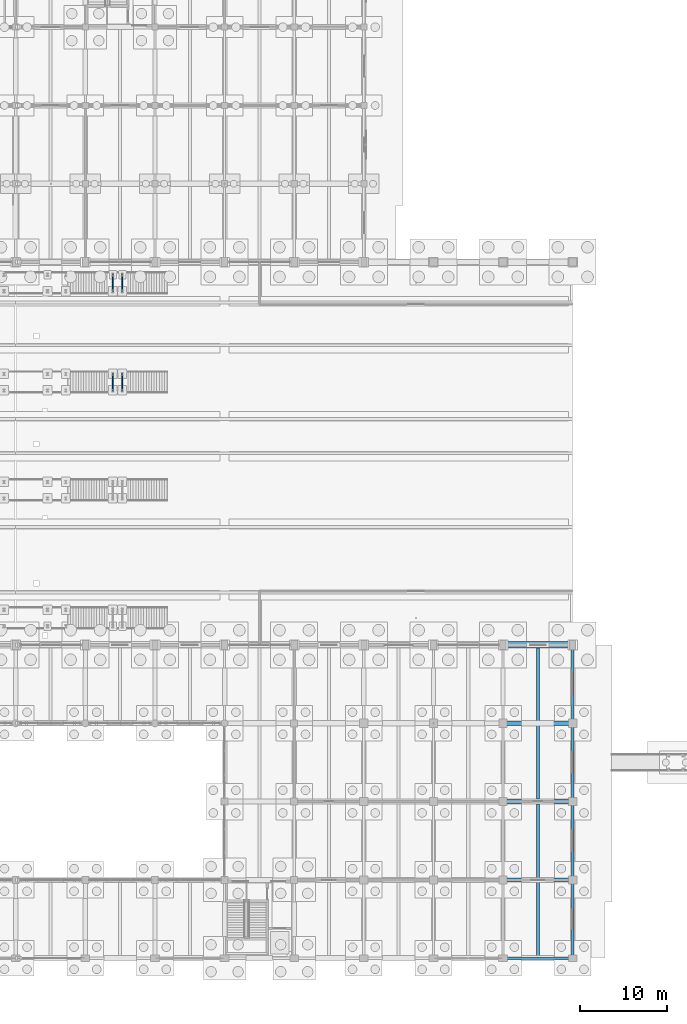
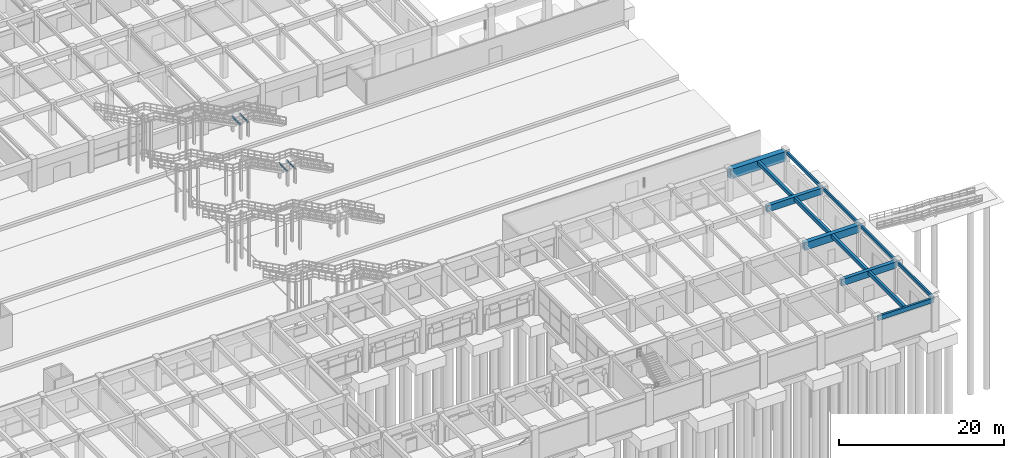
# One storey, part 84 of 147: 17 beams.
"""IFC4 building model written with IfcOpenShell, lengths in metres."""

from ifc_helpers import new_model, si_unit, direction, frame, origin, origin_2d, place, context, subcontext, project, spatial, rectangle, i_section, extrude, material, material_profile, profile_set, type_object, element, save


model = new_model("IFC4")

# Units and contexts
model_context = context("Model", 3, precision=1e-05, world=origin(), true_north=direction((0.0, 1.0)))
body_context = subcontext(model_context, "Body", "Model", "MODEL_VIEW")
ifc_project = project(units=[si_unit("LENGTHUNIT", "METRE"), si_unit("AREAUNIT", "SQUARE_METRE"), si_unit("VOLUMEUNIT", "CUBIC_METRE"), si_unit("PLANEANGLEUNIT", "RADIAN"), si_unit("MASSUNIT", "GRAM", prefix="KILO")], contexts=[model_context])

# Site, building, storey
site_placement = place(None, origin())
site = spatial("IfcSite", under=ifc_project, at=site_placement, CompositionType="ELEMENT")
building_placement = place(site_placement, origin())
building = spatial("IfcBuilding", under=site, at=building_placement, Name="Varnabhumi Central Station", CompositionType="ELEMENT")
storey_placement = place(building_placement, origin())
storey = spatial("IfcBuildingStorey", under=building, at=storey_placement, Name="L00", CompositionType="ELEMENT", Elevation=0.0)

# Beams
ifc_material_1 = material(Name="Concrete M50", Category="concrete")
ifc_material_profile_1 = material_profile(ifc_material_1, rectangle(XDim=0.75, YDim=1.39990234375, at=origin_2d()), Name="Concrete M50", Category="concrete")
ifc_profile_set_1 = profile_set([ifc_material_profile_1], Name="Concrete M50")
beam_type_1 = type_object("IfcBeamType", Name="BM-RC-1400x750", PredefinedType="BEAM", material=ifc_profile_set_1)
beam_1_placement = place(storey_placement, frame((176.10009765625, 36.0, 3.85009765625), z_axis=(1.0, 0.0, 0.0), x_axis=(0.0, 1.0, 0.0)))
element("IfcBeam", 1, at=beam_1_placement, inside=storey, type_object=beam_type_1, Name="Beam L00-E:23-24", PredefinedType="BEAM", context=body_context, shape_type="SweptSolid", body=[
    extrude(rectangle(XDim=0.75, YDim=1.39990234375, at=origin_2d()), origin(), (0.0, 0.0, 1.0), 7.7998046875),
])
ifc_material_2 = material(Name="Concrete M35", Category="concrete")
ifc_material_profile_2 = material_profile(ifc_material_2, rectangle(XDim=0.25, YDim=0.449951171875, at=origin_2d()), Name="Concrete M35", Category="concrete")
ifc_profile_set_2 = profile_set([ifc_material_profile_2], Name="Concrete M35")
beam_type_2 = type_object("IfcBeamType", Name="BM-RC-250x450", PredefinedType="LINTEL", material=ifc_profile_set_2)
for number, where, z_axis, x_axis, name in (
    (2, (184.0, 0.10009765625, 4.324951171875), (0.0, 1.0, 0.0), (-1.0, 0.0, 0.0), "Beam L00-24:A-B"),
    (3, (184.0, 9.10009765625, 4.324951171875), (0.0, 1.0, 0.0), (-1.0, 0.0, 0.0), "Beam L00-24:B-C"),
    (4, (184.0, 18.10009765625, 4.324951171875), (0.0, 1.0, 0.0), (-1.0, 0.0, 0.0), "Beam L00-24:C-D"),
    (5, (184.0, 27.10009765625, 4.324951171875), (0.0, 1.0, 0.0), (-1.0, 0.0, 0.0), "Beam L00-24:D-E"),
):
    element("IfcBeam", number, at=place(storey_placement, frame(where, z_axis=z_axis, x_axis=x_axis)), inside=storey, type_object=beam_type_2, Name=name, PredefinedType="LINTEL", context=body_context, shape_type="SweptSolid", body=[
        extrude(rectangle(XDim=0.25, YDim=0.449951171875, at=origin_2d()), origin(), (0.0, 0.0, 1.0), 8.7998046875),
    ])
ifc_material_3 = material(Name="Concrete M40", Category="concrete")
ifc_material_profile_3 = material_profile(ifc_material_3, rectangle(XDim=0.300048828125, YDim=0.64990234375, at=origin_2d()), Name="Concrete M40", Category="concrete")
ifc_profile_set_3 = profile_set([ifc_material_profile_3], Name="Concrete M40")
beam_type_3 = type_object("IfcBeamType", Name="BM-RC-300x650", PredefinedType="SPANDREL", material=ifc_profile_set_3)
beam_2_placement = place(storey_placement, frame((176.10009765625, 0.0, 4.22509765625), z_axis=(1.0, 0.0, 0.0), x_axis=(0.0, 1.0, 0.0)))
element("IfcBeam", 6, at=beam_2_placement, inside=storey, type_object=beam_type_3, Name="Beam L00-A:23-24", PredefinedType="SPANDREL", context=body_context, shape_type="SweptSolid", body=[
    extrude(rectangle(XDim=0.300048828125, YDim=0.64990234375, at=origin_2d()), origin(), (0.0, 0.0, 1.0), 7.7998046875),
])
ifc_material_profile_4 = material_profile(ifc_material_3, rectangle(XDim=0.35009765625, YDim=0.550048828125, at=origin_2d()), Name="Concrete M40", Category="concrete")
ifc_profile_set_4 = profile_set([ifc_material_profile_4], Name="Concrete M40")
beam_type_4 = type_object("IfcBeamType", Name="BM-RC-350x550", PredefinedType="JOIST", material=ifc_profile_set_4)
beam_3_placement = place(storey_placement, frame((180.0, 0.14990234375, 4.27490234375), z_axis=(0.0, 1.0, 0.0), x_axis=(-1.0, 0.0, 0.0)))
element("IfcBeam", 7, at=beam_3_placement, inside=storey, type_object=beam_type_4, Name="Secondary Joist L00-23/24:A-B", PredefinedType="JOIST", context=body_context, shape_type="SweptSolid", body=[
    extrude(rectangle(XDim=0.35009765625, YDim=0.550048828125, at=origin_2d()), origin(), (0.0, 0.0, 1.0), 8.60009765625),
])
for number, where, z_axis, x_axis, name in (
    (8, (180.0, 9.25, 4.27490234375), (0.0, 1.0, 0.0), (-1.0, 0.0, 0.0), "Secondary Joist L00-23/24:B-C"),
    (9, (180.0, 18.300048828125, 4.27490234375), (0.0, 1.0, 0.0), (-1.0, 0.0, 0.0), "Secondary Joist L00-23/24:C-D"),
):
    element("IfcBeam", number, at=place(storey_placement, frame(where, z_axis=z_axis, x_axis=x_axis)), inside=storey, type_object=beam_type_4, Name=name, PredefinedType="JOIST", context=body_context, shape_type="SweptSolid", body=[
        extrude(rectangle(XDim=0.35009765625, YDim=0.550048828125, at=origin_2d()), origin(), (0.0, 0.0, 1.0), 8.449951171875),
    ])
beam_4_placement = place(storey_placement, frame((180.0, 27.25, 4.27490234375), z_axis=(0.0, 1.0, 0.0), x_axis=(-1.0, 0.0, 0.0)))
element("IfcBeam", 10, at=beam_4_placement, inside=storey, type_object=beam_type_4, Name="Secondary Joist L00-23/24:D-E", PredefinedType="JOIST", context=body_context, shape_type="SweptSolid", body=[
    extrude(rectangle(XDim=0.35009765625, YDim=0.550048828125, at=origin_2d()), origin(), (0.0, 0.0, 1.0), 8.375),
])
ifc_material_profile_5 = material_profile(ifc_material_3, rectangle(XDim=0.5, YDim=0.949951171875, at=origin_2d()), Name="Concrete M40", Category="concrete")
ifc_profile_set_5 = profile_set([ifc_material_profile_5], Name="Concrete M40")
beam_type_5 = type_object("IfcBeamType", Name="BM-RC-500x950", PredefinedType="BEAM", material=ifc_profile_set_5)
for number, where, z_axis, x_axis, name in (
    (11, (176.10009765625, 9.0, 4.074951171875), (1.0, 0.0, 0.0), (0.0, 1.0, 0.0), "Beam L00-B:23-24"),
    (12, (176.10009765625, 27.0, 4.074951171875), (1.0, 0.0, 0.0), (0.0, 1.0, 0.0), "Beam L00-D:23-24"),
):
    element("IfcBeam", number, at=place(storey_placement, frame(where, z_axis=z_axis, x_axis=x_axis)), inside=storey, type_object=beam_type_5, Name=name, PredefinedType="BEAM", context=body_context, shape_type="SweptSolid", body=[
        extrude(rectangle(XDim=0.5, YDim=0.949951171875, at=origin_2d()), origin(), (0.0, 0.0, 1.0), 7.7998046875),
    ])
ifc_material_profile_6 = material_profile(ifc_material_1, rectangle(XDim=0.60009765625, YDim=1.10009765625, at=origin_2d()), Name="Concrete M50", Category="concrete")
ifc_profile_set_6 = profile_set([ifc_material_profile_6], Name="Concrete M50")
beam_type_6 = type_object("IfcBeamType", Name="BM-RC-600x1100", PredefinedType="BEAM", material=ifc_profile_set_6)
beam_5_placement = place(storey_placement, frame((176.10009765625, 18.0, 4.0), z_axis=(1.0, 0.0, 0.0), x_axis=(0.0, 1.0, 0.0)))
element("IfcBeam", 13, at=beam_5_placement, inside=storey, type_object=beam_type_6, Name="Beam L00-C:23-24", PredefinedType="BEAM", context=body_context, shape_type="SweptSolid", body=[
    extrude(rectangle(XDim=0.60009765625, YDim=1.10009765625, at=origin_2d()), origin(), (0.0, 0.0, 1.0), 7.7998046875),
])
ifc_material_4 = material(Name="Structural steel E350", Category="steel")
ifc_material_profile_7 = material_profile(ifc_material_4, i_section(OverallWidth=0.110107421875, OverallDepth=0.22509765625, WebThickness=0.006591796875, FlangeThickness=0.01171875, FilletRadius=0.011962890625, at=origin_2d()), Name="Structural steel E350", Category="steel")
ifc_profile_set_7 = profile_set([ifc_material_profile_7], Name="Structural steel E350")
beam_type_7 = type_object("IfcBeamType", Name="BM-STL-ISMB225", PredefinedType="JOIST", material=ifc_profile_set_7)
for number, where, z_axis, x_axis, name in (
    (14, (131.14990234375, 65.14990234375, 2.107421875), (0.0, 1.0, 0.0), (-1.0, 0.0, 0.0), "Stair Landing Beam P3-p3_l0mid-1"),
    (15, (132.25, 65.14990234375, 2.107421875), (0.0, 1.0, 0.0), (-1.0, 0.0, 0.0), "Stair Landing Beam P3-p3_l0mid-2"),
):
    element("IfcBeam", number, at=place(storey_placement, frame(where, z_axis=z_axis, x_axis=x_axis)), inside=storey, type_object=beam_type_7, Name=name, PredefinedType="JOIST", context=body_context, shape_type="SweptSolid", body=[
        extrude(i_section(OverallWidth=0.110107421875, OverallDepth=0.22509765625, WebThickness=0.006591796875, FlangeThickness=0.01171875, FilletRadius=0.011962890625, at=origin_2d()), origin(), (0.0, 0.0, 1.0), 2.10009765625),
    ])
for number, where, z_axis, x_axis, name in (
    (16, (131.14990234375, 76.550048828125, 2.107421875), (0.0, 1.0, 0.0), (-1.0, 0.0, 0.0), "Stair Landing Beam P4-p4_l0mid-1"),
    (17, (132.25, 76.550048828125, 2.107421875), (0.0, 1.0, 0.0), (-1.0, 0.0, 0.0), "Stair Landing Beam P4-p4_l0mid-2"),
):
    element("IfcBeam", number, at=place(storey_placement, frame(where, z_axis=z_axis, x_axis=x_axis)), inside=storey, type_object=beam_type_7, Name=name, PredefinedType="JOIST", context=body_context, shape_type="SweptSolid", body=[
        extrude(i_section(OverallWidth=0.110107421875, OverallDepth=0.22509765625, WebThickness=0.006591796875, FlangeThickness=0.01171875, FilletRadius=0.011962890625, at=origin_2d()), origin(), (0.0, 0.0, 1.0), 2.099853515625),
    ])

save(model, "model.ifc")
